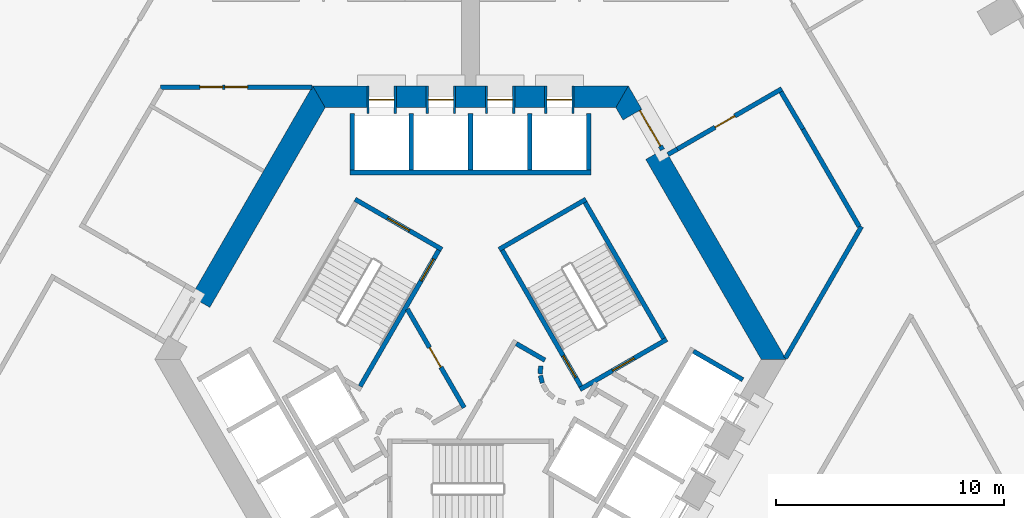
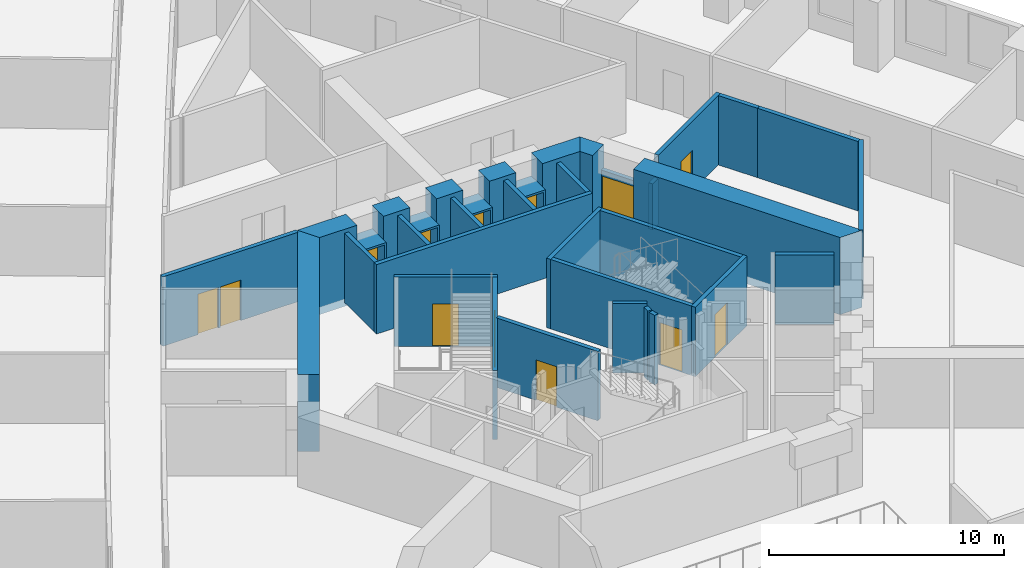
# One storey, part 8 of 15: 36 walls, 13 doors, 13 openings.
"""IFC4 building model written with IfcOpenShell, lengths in metres."""

from ifc_helpers import new_model, si_unit, direction, frame, frame_2d, origin, place, context, subcontext, project, spatial, polyline, rectangle, outline, extrude, material, layer, layer_set, type_object, element, fill, save


model = new_model("IFC4")

# Units and contexts
model_context = context("Model", 3, precision=1e-05, world=origin(), true_north=direction((0.0, 1.0)))
body_context = subcontext(model_context, "Body", "Model", "MODEL_VIEW")
ifc_project = project(units=[si_unit("LENGTHUNIT", "METRE"), si_unit("AREAUNIT", "SQUARE_METRE"), si_unit("VOLUMEUNIT", "CUBIC_METRE"), si_unit("PLANEANGLEUNIT", "RADIAN"), si_unit("MASSUNIT", "GRAM", prefix="KILO")], contexts=[model_context])

# Site, building, storey
site_placement = place(None, origin())
site = spatial("IfcSite", under=ifc_project, at=site_placement, CompositionType="ELEMENT")
building_placement = place(site_placement, origin())
building = spatial("IfcBuilding", under=site, at=building_placement, Name="Entoto Arch Interchange Tower", CompositionType="ELEMENT")
storey_placement = place(building_placement, frame((0.0, 0.0, 77.0)))
storey = spatial("IfcBuildingStorey", under=building, at=storey_placement, Name="L16", CompositionType="ELEMENT", Elevation=77.0)

# Wall, opening, door
ifc_material_1 = material(Name="Reinforced concrete C40/50", Category="concrete")
ifc_layer_1 = layer(ifc_material_1, 0.199951171875)
ifc_layer_set_1 = layer_set([ifc_layer_1], Name="Reinforced concrete C40/50")
wall_type_1 = type_object("IfcWallType", Name="CORE GAP INFILL WALL", PredefinedType="PARTITIONING", material=ifc_layer_set_1)
wall_1_placement = place(storey_placement, frame((8.429931640625, 11.697998046875, 0.0), z_axis=(0.0, 0.0, 1.0), x_axis=(-0.50002537861, 0.866010750942, 0.0)))
wall_1 = element("IfcWall", 1, at=wall_1_placement, inside=storey, type_object=wall_type_1, Name="wall:L16:gap2", PredefinedType="PARTITIONING", context=body_context, shape_type="SweptSolid", body=[
    extrude(rectangle(XDim=2.0, YDim=0.199951171875, at=frame_2d((1.0, 0.0))), origin(), (0.0, 0.0, 1.0), 2.39990234375),
])
opening_1_placement = place(wall_1_placement, frame((0.18994140625, 0.0, 0.0)))
opening_1 = element("IfcOpeningElement", 2, at=opening_1_placement, cuts=wall_1, Name="Opening L16-D92", PredefinedType="OPENING", context=body_context, shape_type="SweptSolid", body=[
    extrude(rectangle(XDim=1.800048828125, YDim=2.10009765625, at=frame_2d((0.89990234375, 1.050048828125))), frame((0.0, 0.10986328125, 0.0), z_axis=(0.0, -1.0, 0.0), x_axis=(1.0, 0.0, 0.0)), (0.0, 0.0, 1.0), 0.219970703125),
])
ifc_material_2 = material(Name="Fire-rated Steel S235 door and frame", Category="steel")
door_type_1 = type_object("IfcDoorType", Name="DOOR FD-18 1800x2100", OperationType="DOUBLE_DOOR_SINGLE_SWING", PredefinedType="DOOR", material=ifc_material_2)
door_1_placement = place(opening_1_placement, origin())
door_1 = element("IfcDoor", 3, at=door_1_placement, inside=storey, type_object=door_type_1, Name="door:L16:gap2", OperationType="DOUBLE_DOOR_SINGLE_SWING", OverallHeight=2.10009765625, OverallWidth=1.800048828125, PredefinedType="DOOR", context=body_context, shape_type="SweptSolid", body=[
    extrude(rectangle(XDim=1.800048828125, YDim=2.10009765625, at=frame_2d((0.89990234375, 1.050048828125))), frame((0.0, 0.02490234375, 0.0), z_axis=(0.0, -1.0, 0.0), x_axis=(1.0, 0.0, 0.0)), (0.0, 0.0, 1.0), 0.050048828125),
])
fill(opening_1, door_1)

# Walls
ifc_material_3 = material(Name="Concrete C60/75", Category="concrete")
ifc_layer_2 = layer(ifc_material_3, 0.949951171875)
ifc_layer_set_2 = layer_set([ifc_layer_2], Name="Concrete C60/75")
wall_type_2 = type_object("IfcWallType", Name="Core wall 950 C60/75", PredefinedType="SHEAR", material=ifc_layer_set_2)
wall_2_placement = place(storey_placement, frame((0.0, 0.0, -0.39990234375)))
element("IfcWall", 4, at=wall_2_placement, inside=storey, type_object=wall_type_2, Name="Core wall NE L16", PredefinedType="SHEAR", context=body_context, shape_type="SweptSolid", body=[
    extrude(outline(polyline([(8.51708984375, 11.748046875), (7.694091796875, 11.27294921875), (12.759033203125, 2.5), (13.85595703125, 2.5), (8.51708984375, 11.748046875)])), origin(), (0.0, 0.0, 1.0), 4.0),
])
wall_3_placement = place(storey_placement, frame((0.0, 0.0, -0.39990234375)))
element("IfcWall", 5, at=wall_3_placement, inside=storey, type_object=wall_type_2, Name="Core wall NE L16", PredefinedType="SHEAR", context=body_context, shape_type="SweptSolid", body=[
    extrude(outline(polyline([(6.695068359375, 13.0048828125), (7.51708984375, 13.47998046875), (6.927978515625, 14.5), (6.3798828125, 13.550048828125), (6.695068359375, 13.0048828125)])), origin(), (0.0, 0.0, 1.0), 4.0),
])
wall_4_placement = place(storey_placement, frame((0.0, 0.0, -0.39990234375)))
element("IfcWall", 6, at=wall_4_placement, inside=storey, type_object=wall_type_2, Name="Core wall N L16", PredefinedType="SHEAR", context=body_context, shape_type="SweptSolid", body=[
    extrude(outline(polyline([(4.550048828125, 14.5), (4.550048828125, 13.550048828125), (6.3798828125, 13.550048828125), (6.927978515625, 14.5), (4.550048828125, 14.5)])), origin(), (0.0, 0.0, 1.0), 4.0),
])
wall_5_placement = place(storey_placement, frame((0.0, 0.0, -0.39990234375)))
element("IfcWall", 7, at=wall_5_placement, inside=storey, type_object=wall_type_2, Name="Core wall N L16", PredefinedType="SHEAR", context=body_context, shape_type="SweptSolid", body=[
    extrude(outline(polyline([(1.949951171875, 14.5), (1.949951171875, 13.550048828125), (3.25, 13.550048828125), (3.25, 14.5), (1.949951171875, 14.5)])), origin(), (0.0, 0.0, 1.0), 4.0),
])
wall_6_placement = place(storey_placement, frame((0.0, 0.0, -0.39990234375)))
element("IfcWall", 8, at=wall_6_placement, inside=storey, type_object=wall_type_2, Name="Core wall N L16", PredefinedType="SHEAR", context=body_context, shape_type="SweptSolid", body=[
    extrude(outline(polyline([(-0.64990234375, 14.5), (-0.64990234375, 13.550048828125), (0.64990234375, 13.550048828125), (0.64990234375, 14.5), (-0.64990234375, 14.5)])), origin(), (0.0, 0.0, 1.0), 4.0),
])
wall_7_placement = place(storey_placement, frame((0.0, 0.0, -0.39990234375)))
element("IfcWall", 9, at=wall_7_placement, inside=storey, type_object=wall_type_2, Name="Core wall N L16", PredefinedType="SHEAR", context=body_context, shape_type="SweptSolid", body=[
    extrude(outline(polyline([(-3.25, 14.5), (-3.25, 13.550048828125), (-1.949951171875, 13.550048828125), (-1.949951171875, 14.5), (-3.25, 14.5)])), origin(), (0.0, 0.0, 1.0), 4.0),
])
wall_8_placement = place(storey_placement, frame((0.0, 0.0, -0.39990234375)))
element("IfcWall", 10, at=wall_8_placement, inside=storey, type_object=wall_type_2, Name="Core wall N L16", PredefinedType="SHEAR", context=body_context, shape_type="SweptSolid", body=[
    extrude(outline(polyline([(-4.550048828125, 13.550048828125), (-4.550048828125, 14.5), (-6.927978515625, 14.5), (-6.3798828125, 13.550048828125), (-4.550048828125, 13.550048828125)])), origin(), (0.0, 0.0, 1.0), 4.0),
])
wall_9_placement = place(storey_placement, frame((0.0, 0.0, -0.39990234375)))
element("IfcWall", 11, at=wall_9_placement, inside=storey, type_object=wall_type_2, Name="Core wall NW L16", PredefinedType="SHEAR", context=body_context, shape_type="SweptSolid", body=[
    extrude(outline(polyline([(-12.26708984375, 5.251953125), (-11.444091796875, 4.777099609375), (-6.3798828125, 13.550048828125), (-6.927978515625, 14.5), (-12.26708984375, 5.251953125)])), origin(), (0.0, 0.0, 1.0), 4.0),
])

# Wall, opening, door
ifc_material_4 = material(Name="Concrete C40/50", Category="concrete")
ifc_layer_3 = layer(ifc_material_4, 1.199951171875)
ifc_layer_set_3 = layer_set([ifc_layer_3], Name="Concrete C40/50")
wall_type_3 = type_object("IfcWallType", Name="LIFT LANDING INFILL WALL", PredefinedType="STANDARD", material=ifc_layer_set_3)
wall_10_placement = place(storey_placement, frame((4.550048828125, 13.89990234375, 0.0), z_axis=(0.0, 0.0, 1.0), x_axis=(-1.0, 0.0, 0.0)))
wall_10 = element("IfcWall", 12, at=wall_10_placement, inside=storey, type_object=wall_type_3, Name="Lift landing infill wall LR1 L16", PredefinedType="STANDARD", context=body_context, shape_type="SweptSolid", body=[
    extrude(rectangle(XDim=1.300048828125, YDim=1.199951171875, at=frame_2d((0.64990234375, 0.0))), origin(), (0.0, 0.0, 1.0), 2.39990234375),
])
opening_2_placement = place(wall_10_placement, frame((0.10009765625, 0.0, 0.0)))
opening_2 = element("IfcOpeningElement", 13, at=opening_2_placement, cuts=wall_10, Name="Opening LD-LR1-L16", PredefinedType="OPENING", context=body_context, shape_type="SweptSolid", body=[
    extrude(rectangle(XDim=1.10009765625, YDim=2.300048828125, at=frame_2d((0.550048828125, 1.14990234375))), frame((0.0, 0.60986328125, 0.0), z_axis=(0.0, -1.0, 0.0), x_axis=(1.0, 0.0, 0.0)), (0.0, 0.0, 1.0), 1.219970703125),
])
ifc_material_5 = material(Name="Stainless steel 1.4301 panels", Category="steel")
door_type_2 = type_object("IfcDoorType", Name="LIFT LANDING DOOR LD2 1100x2300", OperationType="SLIDING_TO_LEFT", PredefinedType="DOOR", material=ifc_material_5)
door_2_placement = place(opening_2_placement, origin())
door_2 = element("IfcDoor", 14, at=door_2_placement, inside=storey, type_object=door_type_2, Name="Lift landing door LR1 L16", OperationType="SLIDING_TO_LEFT", OverallHeight=2.300048828125, OverallWidth=1.10009765625, PredefinedType="DOOR", context=body_context, shape_type="SweptSolid", body=[
    extrude(rectangle(XDim=1.10009765625, YDim=2.300048828125, at=frame_2d((0.550048828125, 1.14990234375))), frame((0.0, 0.02490234375, 0.0), z_axis=(0.0, -1.0, 0.0), x_axis=(1.0, 0.0, 0.0)), (0.0, 0.0, 1.0), 0.050048828125),
])
fill(opening_2, door_2)

wall_11_placement = place(storey_placement, frame((1.949951171875, 13.89990234375, 0.0), z_axis=(0.0, 0.0, 1.0), x_axis=(-1.0, 0.0, 0.0)))
wall_11 = element("IfcWall", 15, at=wall_11_placement, inside=storey, type_object=wall_type_3, Name="Lift landing infill wall LR2 L16", PredefinedType="STANDARD", context=body_context, shape_type="SweptSolid", body=[
    extrude(rectangle(XDim=1.300048828125, YDim=1.199951171875, at=frame_2d((0.64990234375, 0.0))), origin(), (0.0, 0.0, 1.0), 2.39990234375),
])
opening_3_placement = place(wall_11_placement, frame((0.10009765625, 0.0, 0.0)))
opening_3 = element("IfcOpeningElement", 16, at=opening_3_placement, cuts=wall_11, Name="Opening LD-LR2-L16", PredefinedType="OPENING", context=body_context, shape_type="SweptSolid", body=[
    extrude(rectangle(XDim=1.10009765625, YDim=2.300048828125, at=frame_2d((0.550048828125, 1.14990234375))), frame((0.0, 0.60986328125, 0.0), z_axis=(0.0, -1.0, 0.0), x_axis=(1.0, 0.0, 0.0)), (0.0, 0.0, 1.0), 1.219970703125),
])
door_3_placement = place(opening_3_placement, origin())
door_3 = element("IfcDoor", 17, at=door_3_placement, inside=storey, type_object=door_type_2, Name="Lift landing door LR2 L16", OperationType="SLIDING_TO_LEFT", OverallHeight=2.300048828125, OverallWidth=1.10009765625, PredefinedType="DOOR", context=body_context, shape_type="SweptSolid", body=[
    extrude(rectangle(XDim=1.10009765625, YDim=2.300048828125, at=frame_2d((0.550048828125, 1.14990234375))), frame((0.0, 0.02490234375, 0.0), z_axis=(0.0, -1.0, 0.0), x_axis=(1.0, 0.0, 0.0)), (0.0, 0.0, 1.0), 0.050048828125),
])
fill(opening_3, door_3)

wall_12_placement = place(storey_placement, frame((-0.64990234375, 13.89990234375, 0.0), z_axis=(0.0, 0.0, 1.0), x_axis=(-1.0, 0.0, 0.0)))
wall_12 = element("IfcWall", 18, at=wall_12_placement, inside=storey, type_object=wall_type_3, Name="Lift landing infill wall LR3 L16", PredefinedType="STANDARD", context=body_context, shape_type="SweptSolid", body=[
    extrude(rectangle(XDim=1.300048828125, YDim=1.199951171875, at=frame_2d((0.64990234375, 0.0))), origin(), (0.0, 0.0, 1.0), 2.39990234375),
])
opening_4_placement = place(wall_12_placement, frame((0.10009765625, 0.0, 0.0)))
opening_4 = element("IfcOpeningElement", 19, at=opening_4_placement, cuts=wall_12, Name="Opening LD-LR3-L16", PredefinedType="OPENING", context=body_context, shape_type="SweptSolid", body=[
    extrude(rectangle(XDim=1.10009765625, YDim=2.300048828125, at=frame_2d((0.550048828125, 1.14990234375))), frame((0.0, 0.60986328125, 0.0), z_axis=(0.0, -1.0, 0.0), x_axis=(1.0, 0.0, 0.0)), (0.0, 0.0, 1.0), 1.219970703125),
])
door_4_placement = place(opening_4_placement, origin())
door_4 = element("IfcDoor", 20, at=door_4_placement, inside=storey, type_object=door_type_2, Name="Lift landing door LR3 L16", OperationType="SLIDING_TO_LEFT", OverallHeight=2.300048828125, OverallWidth=1.10009765625, PredefinedType="DOOR", context=body_context, shape_type="SweptSolid", body=[
    extrude(rectangle(XDim=1.10009765625, YDim=2.300048828125, at=frame_2d((0.550048828125, 1.14990234375))), frame((0.0, 0.02490234375, 0.0), z_axis=(0.0, -1.0, 0.0), x_axis=(1.0, 0.0, 0.0)), (0.0, 0.0, 1.0), 0.050048828125),
])
fill(opening_4, door_4)

wall_13_placement = place(storey_placement, frame((-3.25, 13.89990234375, 0.0), z_axis=(0.0, 0.0, 1.0), x_axis=(-1.0, 0.0, 0.0)))
wall_13 = element("IfcWall", 21, at=wall_13_placement, inside=storey, type_object=wall_type_3, Name="Lift landing infill wall LR4 L16", PredefinedType="STANDARD", context=body_context, shape_type="SweptSolid", body=[
    extrude(rectangle(XDim=1.300048828125, YDim=1.199951171875, at=frame_2d((0.64990234375, 0.0))), origin(), (0.0, 0.0, 1.0), 2.39990234375),
])
opening_5_placement = place(wall_13_placement, frame((0.10009765625, 0.0, 0.0)))
opening_5 = element("IfcOpeningElement", 22, at=opening_5_placement, cuts=wall_13, Name="Opening LD-LR4-L16", PredefinedType="OPENING", context=body_context, shape_type="SweptSolid", body=[
    extrude(rectangle(XDim=1.10009765625, YDim=2.300048828125, at=frame_2d((0.550048828125, 1.14990234375))), frame((0.0, 0.60986328125, 0.0), z_axis=(0.0, -1.0, 0.0), x_axis=(1.0, 0.0, 0.0)), (0.0, 0.0, 1.0), 1.219970703125),
])
door_5_placement = place(opening_5_placement, origin())
door_5 = element("IfcDoor", 23, at=door_5_placement, inside=storey, type_object=door_type_2, Name="Lift landing door LR4 L16", OperationType="SLIDING_TO_LEFT", OverallHeight=2.300048828125, OverallWidth=1.10009765625, PredefinedType="DOOR", context=body_context, shape_type="SweptSolid", body=[
    extrude(rectangle(XDim=1.10009765625, YDim=2.300048828125, at=frame_2d((0.550048828125, 1.14990234375))), frame((0.0, 0.02490234375, 0.0), z_axis=(0.0, -1.0, 0.0), x_axis=(1.0, 0.0, 0.0)), (0.0, 0.0, 1.0), 0.050048828125),
])
fill(opening_5, door_5)

# Walls
ifc_layer_4 = layer(ifc_material_4, 0.199951171875)
ifc_layer_set_4 = layer_set([ifc_layer_4], Name="Concrete C40/50")
wall_type_4 = type_object("IfcWallType", Name="LIFT SHAFT WALL 200", PredefinedType="STANDARD", material=ifc_layer_set_4)
wall_14_placement = place(storey_placement, frame((5.300048828125, 10.699951171875, 0.0), z_axis=(0.0, 0.0, 1.0), x_axis=(-1.0, 0.0, 0.0)))
element("IfcWall", 24, at=wall_14_placement, inside=storey, type_object=wall_type_4, Name="Shaft wall N3 front", PredefinedType="STANDARD", context=body_context, shape_type="SweptSolid", body=[
    extrude(rectangle(XDim=10.60009765625, YDim=0.199951171875, at=frame_2d((5.300048828125, 0.0))), origin(), (0.0, 0.0, 1.0), 3.60009765625),
])
for number, where, z_axis, x_axis, name in (
    (25, (5.199951171875, 10.800048828125, 0.0), (0.0, 0.0, 1.0), (0.0, 1.0, 0.0), "Shaft wall N3 cross 1"),
    (26, (2.60009765625, 10.800048828125, 0.0), (0.0, 0.0, 1.0), (0.0, 1.0, 0.0), "Shaft wall N3 cross 2"),
    (27, (0.0, 10.800048828125, 0.0), (0.0, 0.0, 1.0), (0.0, 1.0, 0.0), "Shaft wall N3 cross 3"),
    (28, (-2.60009765625, 10.800048828125, 0.0), (0.0, 0.0, 1.0), (0.0, 1.0, 0.0), "Shaft wall N3 cross 4"),
    (29, (-5.199951171875, 10.800048828125, 0.0), (0.0, 0.0, 1.0), (0.0, 1.0, 0.0), "Shaft wall N3 cross 5"),
):
    element("IfcWall", number, at=place(storey_placement, frame(where, z_axis=z_axis, x_axis=x_axis)), inside=storey, type_object=wall_type_4, Name=name, PredefinedType="STANDARD", context=body_context, shape_type="SweptSolid", body=[
        extrude(rectangle(XDim=2.5, YDim=0.199951171875, at=frame_2d((1.25, 0.0))), origin(), (0.0, 0.0, 1.0), 3.60009765625),
    ])
wall_15_placement = place(storey_placement, frame((9.7880859375, 2.85302734375, 0.0), z_axis=(0.0, 0.0, 1.0), x_axis=(0.865998541277, -0.500046524342, 0.0)))
element("IfcWall", 30, at=wall_15_placement, inside=storey, type_object=wall_type_4, Name="Shaft wall SE3 cross 5", PredefinedType="STANDARD", context=body_context, shape_type="SweptSolid", body=[
    extrude(rectangle(XDim=2.499755859375, YDim=0.199951171875, at=frame_2d((1.25, 0.0))), origin(), (0.0, 0.0, 1.0), 3.60009765625),
])
ifc_material_6 = material(Name="Gypsum board partition on steel studs", Category="steel")
ifc_layer_5 = layer(ifc_material_6, 0.199951171875)
ifc_layer_set_5 = layer_set([ifc_layer_5], Name="Gypsum board partition on steel studs")
wall_type_5 = type_object("IfcWallType", Name="PARTITION 200", PredefinedType="PARTITIONING", material=ifc_layer_set_5)
wall_16_placement = place(storey_placement, frame((17.06298828125, 8.327880859375, 0.0), z_axis=(0.0, 0.0, 1.0), x_axis=(-0.499986575203, 0.866033154456, 0.0)))
element("IfcWall", 31, at=wall_16_placement, inside=storey, type_object=wall_type_5, Name="wall:L16:p005", PredefinedType="PARTITIONING", context=body_context, shape_type="SweptSolid", body=[
    extrude(rectangle(XDim=4.934326171875, YDim=0.199951171875, at=frame_2d((2.46728515625, 0.0))), origin(), (0.0, 0.0, 1.0), 3.60009765625),
])
wall_17_placement = place(storey_placement, frame((14.595947265625, 12.60107421875, 0.0), z_axis=(0.0, 0.0, 1.0), x_axis=(-0.507547610008, 0.861623713447, 0.0)))
element("IfcWall", 32, at=wall_17_placement, inside=storey, type_object=wall_type_5, Name="wall:L16:p006", PredefinedType="PARTITIONING", context=body_context, shape_type="SweptSolid", body=[
    extrude(rectangle(XDim=1.90087890625, YDim=0.199951171875, at=frame_2d((0.950439453125, 0.0))), origin(), (0.0, 0.0, 1.0), 3.60009765625),
])

# Wall, opening, door
wall_18_placement = place(storey_placement, frame((13.6669921875, 14.375, 0.0), z_axis=(0.0, 0.0, 1.0), x_axis=(-0.866016748302, -0.500014991436, 0.0)))
wall_18 = element("IfcWall", 33, at=wall_18_placement, inside=storey, type_object=wall_type_5, Name="wall:L16:p007", PredefinedType="PARTITIONING", context=body_context, shape_type="SweptSolid", body=[
    extrude(rectangle(XDim=5.297607421875, YDim=0.199951171875, at=frame_2d((2.64892578125, 0.0))), origin(), (0.0, 0.0, 1.0), 3.60009765625),
])
opening_6_placement = place(wall_18_placement, frame((2.386962890625, 0.0, 0.0)))
opening_6 = element("IfcOpeningElement", 34, at=opening_6_placement, cuts=wall_18, Name="Opening L16-D32", PredefinedType="OPENING", context=body_context, shape_type="SweptSolid", body=[
    extrude(rectangle(XDim=1.0, YDim=2.10009765625, at=frame_2d((0.5, 1.050048828125))), frame((0.0, 0.10986328125, 0.0), z_axis=(0.0, -1.0, 0.0), x_axis=(1.0, 0.0, 0.0)), (0.0, 0.0, 1.0), 0.219970703125),
])
ifc_material_7 = material(Name="Timber door leaf in Steel S235 frame", Category="steel")
door_type_3 = type_object("IfcDoorType", Name="DOOR DS-10 1000x2100", OperationType="SINGLE_SWING_LEFT", PredefinedType="DOOR", material=ifc_material_7)
door_6_placement = place(opening_6_placement, origin())
door_6 = element("IfcDoor", 35, at=door_6_placement, inside=storey, type_object=door_type_3, Name="door:L16:32", OperationType="SINGLE_SWING_LEFT", OverallHeight=2.10009765625, OverallWidth=1.0, PredefinedType="DOOR", context=body_context, shape_type="SweptSolid", body=[
    extrude(rectangle(XDim=1.0, YDim=2.10009765625, at=frame_2d((0.5, 1.050048828125))), frame((0.0, 0.02490234375, 0.0), z_axis=(0.0, -1.0, 0.0), x_axis=(1.0, 0.0, 0.0)), (0.0, 0.0, 1.0), 0.050048828125),
])
fill(opening_6, door_6)

# Wall, openings, doors
wall_19_placement = place(storey_placement, frame((-6.95703125, 14.449951171875, 0.0), z_axis=(0.0, 0.0, 1.0), x_axis=(-1.0, 0.0, 0.0)))
wall_19 = element("IfcWall", 36, at=wall_19_placement, inside=storey, type_object=wall_type_5, Name="wall:L16:p091", PredefinedType="PARTITIONING", context=body_context, shape_type="SweptSolid", body=[
    extrude(rectangle(XDim=6.64892578125, YDim=0.199951171875, at=frame_2d((3.324462890625, 0.0))), origin(), (0.0, 0.0, 1.0), 3.60009765625),
])
opening_7_placement = place(wall_19_placement, frame((2.824951171875, 0.0, 0.0)))
opening_7 = element("IfcOpeningElement", 37, at=opening_7_placement, cuts=wall_19, Name="Opening L16-D31", PredefinedType="OPENING", context=body_context, shape_type="SweptSolid", body=[
    extrude(rectangle(XDim=1.0, YDim=2.10009765625, at=frame_2d((0.5, 1.050048828125))), frame((0.0, 0.10986328125, 0.0), z_axis=(0.0, -1.0, 0.0), x_axis=(1.0, 0.0, 0.0)), (0.0, 0.0, 1.0), 0.219970703125),
])
opening_8_placement = place(wall_19_placement, frame((3.925048828125, 0.0, 0.0)))
opening_8 = element("IfcOpeningElement", 38, at=opening_8_placement, cuts=wall_19, Name="Opening L16-D39", PredefinedType="OPENING", context=body_context, shape_type="SweptSolid", body=[
    extrude(rectangle(XDim=1.0, YDim=2.10009765625, at=frame_2d((0.5, 1.050048828125))), frame((0.0, 0.10986328125, 0.0), z_axis=(0.0, -1.0, 0.0), x_axis=(1.0, 0.0, 0.0)), (0.0, 0.0, 1.0), 0.219970703125),
])
door_7_placement = place(opening_7_placement, origin())
door_7 = element("IfcDoor", 39, at=door_7_placement, inside=storey, type_object=door_type_3, Name="door:L16:31", OperationType="SINGLE_SWING_LEFT", OverallHeight=2.10009765625, OverallWidth=1.0, PredefinedType="DOOR", context=body_context, shape_type="SweptSolid", body=[
    extrude(rectangle(XDim=1.0, YDim=2.10009765625, at=frame_2d((0.5, 1.050048828125))), frame((0.0, 0.02490234375, 0.0), z_axis=(0.0, -1.0, 0.0), x_axis=(1.0, 0.0, 0.0)), (0.0, 0.0, 1.0), 0.050048828125),
])
fill(opening_7, door_7)
door_8_placement = place(opening_8_placement, origin())
door_8 = element("IfcDoor", 40, at=door_8_placement, inside=storey, type_object=door_type_3, Name="door:L16:39", OperationType="SINGLE_SWING_RIGHT", OverallHeight=2.10009765625, OverallWidth=1.0, PredefinedType="DOOR", context=body_context, shape_type="SweptSolid", body=[
    extrude(rectangle(XDim=1.0, YDim=2.10009765625, at=frame_2d((0.5, 1.050048828125))), frame((0.0, 0.02490234375, 0.0), z_axis=(0.0, -1.0, 0.0), x_axis=(1.0, 0.0, 0.0)), (0.0, 0.0, 1.0), 0.050048828125),
])
fill(opening_8, door_8)

# Walls
wall_20_placement = place(storey_placement, frame((13.826904296875, 2.550048828125, 0.0), z_axis=(0.0, 0.0, 1.0), x_axis=(0.500039204794, 0.866002767703, 0.0)))
element("IfcWall", 41, at=wall_20_placement, inside=storey, type_object=wall_type_5, Name="wall:L16:p092", PredefinedType="PARTITIONING", context=body_context, shape_type="SweptSolid", body=[
    extrude(rectangle(XDim=6.671875, YDim=0.199951171875, at=frame_2d((3.3359375, 0.0))), origin(), (0.0, 0.0, 1.0), 3.60009765625),
])
wall_21_placement = place(storey_placement, frame((2.011962890625, 3.18603515625, 0.0), z_axis=(0.0, 0.0, 1.0), x_axis=(0.865891012941, -0.500232699559, 0.0)))
element("IfcWall", 42, at=wall_21_placement, inside=storey, type_object=wall_type_5, Name="wall:L16:p094", PredefinedType="PARTITIONING", context=body_context, shape_type="SweptSolid", body=[
    extrude(rectangle(XDim=1.449462890625, YDim=0.199951171875, at=frame_2d((0.724609375, 0.0))), origin(), (0.0, 0.0, 1.0), 3.60009765625),
])
wall_22_placement = place(storey_placement, frame((3.0791015625, 2.198974609375, 0.0), z_axis=(0.0, 0.0, 1.0), x_axis=(-0.047771483479, -0.998858290933, 0.0)))
element("IfcWall", 43, at=wall_22_placement, inside=storey, type_object=wall_type_5, Name="wall:L16:p095", PredefinedType="PARTITIONING", context=body_context, shape_type="SweptSolid", body=[
    extrude(rectangle(XDim=0.33740234375, YDim=0.199951171875, at=frame_2d((0.168701171875, 0.0))), origin(), (0.0, 0.0, 1.0), 3.60009765625),
])
wall_23_placement = place(storey_placement, frame((3.070068359375, 1.785888671875, 0.0), z_axis=(0.0, 0.0, 1.0), x_axis=(0.242705583207, -0.970099994784, 0.0)))
element("IfcWall", 44, at=wall_23_placement, inside=storey, type_object=wall_type_5, Name="wall:L16:p096", PredefinedType="PARTITIONING", context=body_context, shape_type="SweptSolid", body=[
    extrude(rectangle(XDim=0.337890625, YDim=0.199951171875, at=frame_2d((0.1689453125, 0.0))), origin(), (0.0, 0.0, 1.0), 3.60009765625),
])

# Wall, opening, door
wall_24_placement = place(storey_placement, frame((-2.77099609375, 4.699951171875, 0.0), z_axis=(0.0, 0.0, 1.0), x_axis=(0.499969479948, -0.866043023828, 0.0)))
wall_24 = element("IfcWall", 45, at=wall_24_placement, inside=storey, type_object=wall_type_5, Name="wall:L16:p101", PredefinedType="PARTITIONING", context=body_context, shape_type="SweptSolid", body=[
    extrude(rectangle(XDim=4.990478515625, YDim=0.199951171875, at=frame_2d((2.4951171875, 0.0))), origin(), (0.0, 0.0, 1.0), 3.60009765625),
])
opening_9_placement = place(wall_24_placement, frame((1.945068359375, 0.0, 0.0)))
opening_9 = element("IfcOpeningElement", 46, at=opening_9_placement, cuts=wall_24, Name="Opening L16-D34", PredefinedType="OPENING", context=body_context, shape_type="SweptSolid", body=[
    extrude(rectangle(XDim=1.0, YDim=2.10009765625, at=frame_2d((0.5, 1.050048828125))), frame((0.0, 0.10986328125, 0.0), z_axis=(0.0, -1.0, 0.0), x_axis=(1.0, 0.0, 0.0)), (0.0, 0.0, 1.0), 0.219970703125),
])
door_type_4 = type_object("IfcDoorType", Name="DOOR FD-10 1000x2100", OperationType="SINGLE_SWING_LEFT", PredefinedType="DOOR", material=ifc_material_2)
door_9_placement = place(opening_9_placement, origin())
door_9 = element("IfcDoor", 47, at=door_9_placement, inside=storey, type_object=door_type_4, Name="door:L16:34", OperationType="SINGLE_SWING_RIGHT", OverallHeight=2.10009765625, OverallWidth=1.0, PredefinedType="DOOR", context=body_context, shape_type="SweptSolid", body=[
    extrude(rectangle(XDim=1.0, YDim=2.10009765625, at=frame_2d((0.5, 1.050048828125))), frame((0.0, 0.02490234375, 0.0), z_axis=(0.0, -1.0, 0.0), x_axis=(1.0, 0.0, 0.0)), (0.0, 0.0, 1.0), 0.050048828125),
])
fill(opening_9, door_9)

# Wall
wall_25_placement = place(storey_placement, frame((9.0791015625, 11.72607421875, 0.0), z_axis=(0.0, 0.0, 1.0), x_axis=(-0.865929261247, -0.500166486798, 0.0)))
element("IfcWall", 48, at=wall_25_placement, inside=storey, type_object=wall_type_5, Name="wall:L16:p007", PredefinedType="PARTITIONING", context=body_context, shape_type="SweptSolid", body=[
    extrude(rectangle(XDim=0.475830078125, YDim=0.199951171875, at=frame_2d((0.23779296875, 0.0))), origin(), (0.0, 0.0, 1.0), 2.39990234375),
])

# Wall, opening, door
ifc_layer_6 = layer(ifc_material_4, 0.199951171875)
ifc_layer_set_6 = layer_set([ifc_layer_6], Name="Concrete C40/50")
wall_type_6 = type_object("IfcWallType", Name="STAIR ENCLOSURE WALL 200", PredefinedType="STANDARD", material=ifc_layer_set_6)
wall_26_placement = place(storey_placement, frame((4.805908203125, 1.176025390625, 0.0), z_axis=(0.0, 0.0, 1.0), x_axis=(0.866059941101, 0.499940174841, 0.0)))
wall_26 = element("IfcWall", 49, at=wall_26_placement, inside=storey, type_object=wall_type_6, Name="Stair wall ST-NE near", PredefinedType="STANDARD", context=body_context, shape_type="SweptSolid", body=[
    extrude(rectangle(XDim=4.400390625, YDim=0.199951171875, at=frame_2d((2.2001953125, 0.0))), origin(), (0.0, 0.0, 1.0), 3.60009765625),
])
opening_10_placement = place(wall_26_placement, frame((1.64990234375, 0.0, 0.0)))
opening_10 = element("IfcOpeningElement", 50, at=opening_10_placement, cuts=wall_26, Name="Opening SD-ST-NE-L16-E", PredefinedType="OPENING", context=body_context, shape_type="SweptSolid", body=[
    extrude(rectangle(XDim=1.10009765625, YDim=2.199951171875, at=frame_2d((0.550048828125, 1.10009765625))), frame((0.0, 0.10986328125, 0.0), z_axis=(0.0, -1.0, 0.0), x_axis=(1.0, 0.0, 0.0)), (0.0, 0.0, 1.0), 0.219970703125),
])
ifc_material_8 = material(Name="Steel S235", Category="steel")
door_type_5 = type_object("IfcDoorType", Name="STAIR DOOR SD1 1100x2200", OperationType="SINGLE_SWING_LEFT", PredefinedType="DOOR", material=ifc_material_8)
door_10_placement = place(opening_10_placement, origin())
door_10 = element("IfcDoor", 51, at=door_10_placement, inside=storey, type_object=door_type_5, Name="Stair door ST-NE L16 end", OperationType="SINGLE_SWING_LEFT", OverallHeight=2.199951171875, OverallWidth=1.10009765625, PredefinedType="DOOR", context=body_context, shape_type="SweptSolid", body=[
    extrude(rectangle(XDim=1.10009765625, YDim=2.199951171875, at=frame_2d((0.550048828125, 1.10009765625))), frame((0.0, 0.02490234375, 0.0), z_axis=(0.0, -1.0, 0.0), x_axis=(1.0, 0.0, 0.0)), (0.0, 0.0, 1.0), 0.050048828125),
])
fill(opening_10, door_10)

# Wall
wall_27_placement = place(storey_placement, frame((1.256103515625, 7.323974609375, 0.0), z_axis=(0.0, 0.0, 1.0), x_axis=(0.866046073146, 0.499964197906, 0.0)))
element("IfcWall", 52, at=wall_27_placement, inside=storey, type_object=wall_type_6, Name="Stair wall ST-NE far", PredefinedType="STANDARD", context=body_context, shape_type="SweptSolid", body=[
    extrude(rectangle(XDim=4.400146484375, YDim=0.199951171875, at=frame_2d((2.2001953125, 0.0))), origin(), (0.0, 0.0, 1.0), 3.60009765625),
])

# Wall, opening, door
wall_28_placement = place(storey_placement, frame((4.843017578125, 1.31201171875, 0.0), z_axis=(0.0, 0.0, 1.0), x_axis=(-0.499963383562, 0.866046543262, 0.0)))
wall_28 = element("IfcWall", 53, at=wall_28_placement, inside=storey, type_object=wall_type_6, Name="Stair wall ST-NE hall", PredefinedType="STANDARD", context=body_context, shape_type="SweptSolid", body=[
    extrude(rectangle(XDim=6.900390625, YDim=0.199951171875, at=frame_2d((3.4501953125, 0.0))), origin(), (0.0, 0.0, 1.0), 3.60009765625),
])
opening_11_placement = place(wall_28_placement, frame((0.449951171875, 0.0, 0.0)))
opening_11 = element("IfcOpeningElement", 54, at=opening_11_placement, cuts=wall_28, Name="Opening SD-ST-NE-L16", PredefinedType="OPENING", context=body_context, shape_type="SweptSolid", body=[
    extrude(rectangle(XDim=1.10009765625, YDim=2.199951171875, at=frame_2d((0.550048828125, 1.10009765625))), frame((0.0, 0.10986328125, 0.0), z_axis=(0.0, -1.0, 0.0), x_axis=(1.0, 0.0, 0.0)), (0.0, 0.0, 1.0), 0.219970703125),
])
door_11_placement = place(opening_11_placement, origin())
door_11 = element("IfcDoor", 55, at=door_11_placement, inside=storey, type_object=door_type_5, Name="Stair door ST-NE L16", OperationType="SINGLE_SWING_LEFT", OverallHeight=2.199951171875, OverallWidth=1.10009765625, PredefinedType="DOOR", context=body_context, shape_type="SweptSolid", body=[
    extrude(rectangle(XDim=1.10009765625, YDim=2.199951171875, at=frame_2d((0.550048828125, 1.10009765625))), frame((0.0, 0.02490234375, 0.0), z_axis=(0.0, -1.0, 0.0), x_axis=(1.0, 0.0, 0.0)), (0.0, 0.0, 1.0), 0.050048828125),
])
fill(opening_11, door_11)

# Wall
wall_29_placement = place(storey_placement, frame((8.47998046875, 3.412109375, 0.0), z_axis=(0.0, 0.0, 1.0), x_axis=(-0.499978703459, 0.866037698999, 0.0)))
element("IfcWall", 56, at=wall_29_placement, inside=storey, type_object=wall_type_6, Name="Stair wall ST-NE back", PredefinedType="STANDARD", context=body_context, shape_type="SweptSolid", body=[
    extrude(rectangle(XDim=6.900146484375, YDim=0.199951171875, at=frame_2d((3.4501953125, 0.0))), origin(), (0.0, 0.0, 1.0), 3.60009765625),
])

# Wall, opening, door
wall_30_placement = place(storey_placement, frame((-1.256103515625, 7.323974609375, 0.0), z_axis=(0.0, 0.0, 1.0), x_axis=(-0.866046073146, 0.499964197906, 0.0)))
wall_30 = element("IfcWall", 57, at=wall_30_placement, inside=storey, type_object=wall_type_6, Name="Stair wall ST-NW near", PredefinedType="STANDARD", context=body_context, shape_type="SweptSolid", body=[
    extrude(rectangle(XDim=4.400146484375, YDim=0.199951171875, at=frame_2d((2.2001953125, 0.0))), origin(), (0.0, 0.0, 1.0), 3.60009765625),
])
opening_12_placement = place(wall_30_placement, frame((1.64990234375, 0.0, 0.0)))
opening_12 = element("IfcOpeningElement", 58, at=opening_12_placement, cuts=wall_30, Name="Opening SD-ST-NW-L16-E", PredefinedType="OPENING", context=body_context, shape_type="SweptSolid", body=[
    extrude(rectangle(XDim=1.10009765625, YDim=2.199951171875, at=frame_2d((0.550048828125, 1.10009765625))), frame((0.0, 0.10986328125, 0.0), z_axis=(0.0, -1.0, 0.0), x_axis=(1.0, 0.0, 0.0)), (0.0, 0.0, 1.0), 0.219970703125),
])
door_12_placement = place(opening_12_placement, origin())
door_12 = element("IfcDoor", 59, at=door_12_placement, inside=storey, type_object=door_type_5, Name="Stair door ST-NW L16 end", OperationType="SINGLE_SWING_LEFT", OverallHeight=2.199951171875, OverallWidth=1.10009765625, PredefinedType="DOOR", context=body_context, shape_type="SweptSolid", body=[
    extrude(rectangle(XDim=1.10009765625, YDim=2.199951171875, at=frame_2d((0.550048828125, 1.10009765625))), frame((0.0, 0.02490234375, 0.0), z_axis=(0.0, -1.0, 0.0), x_axis=(1.0, 0.0, 0.0)), (0.0, 0.0, 1.0), 0.050048828125),
])
fill(opening_12, door_12)

wall_31_placement = place(storey_placement, frame((-1.39306640625, 7.2880859375, 0.0), z_axis=(0.0, 0.0, 1.0), x_axis=(-0.499963383562, -0.866046543262, 0.0)))
wall_31 = element("IfcWall", 60, at=wall_31_placement, inside=storey, type_object=wall_type_6, Name="Stair wall ST-NW hall", PredefinedType="STANDARD", context=body_context, shape_type="SweptSolid", body=[
    extrude(rectangle(XDim=6.900390625, YDim=0.199951171875, at=frame_2d((3.4501953125, 0.0))), origin(), (0.0, 0.0, 1.0), 3.60009765625),
])
opening_13_placement = place(wall_31_placement, frame((0.449951171875, 0.0, 0.0)))
opening_13 = element("IfcOpeningElement", 61, at=opening_13_placement, cuts=wall_31, Name="Opening SD-ST-NW-L16", PredefinedType="OPENING", context=body_context, shape_type="SweptSolid", body=[
    extrude(rectangle(XDim=1.10009765625, YDim=2.199951171875, at=frame_2d((0.550048828125, 1.10009765625))), frame((0.0, 0.10986328125, 0.0), z_axis=(0.0, -1.0, 0.0), x_axis=(1.0, 0.0, 0.0)), (0.0, 0.0, 1.0), 0.219970703125),
])
door_13_placement = place(opening_13_placement, origin())
door_13 = element("IfcDoor", 62, at=door_13_placement, inside=storey, type_object=door_type_5, Name="Stair door ST-NW L16", OperationType="SINGLE_SWING_LEFT", OverallHeight=2.199951171875, OverallWidth=1.10009765625, PredefinedType="DOOR", context=body_context, shape_type="SweptSolid", body=[
    extrude(rectangle(XDim=1.10009765625, YDim=2.199951171875, at=frame_2d((0.550048828125, 1.10009765625))), frame((0.0, 0.02490234375, 0.0), z_axis=(0.0, -1.0, 0.0), x_axis=(1.0, 0.0, 0.0)), (0.0, 0.0, 1.0), 0.050048828125),
])
fill(opening_13, door_13)

save(model, "model.ifc")
